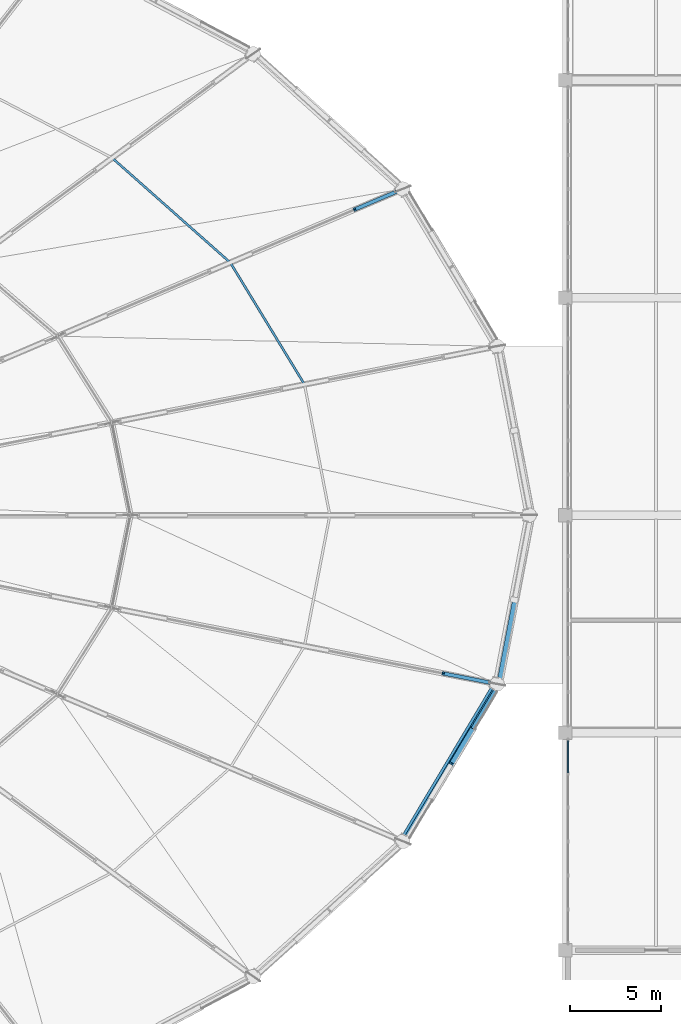
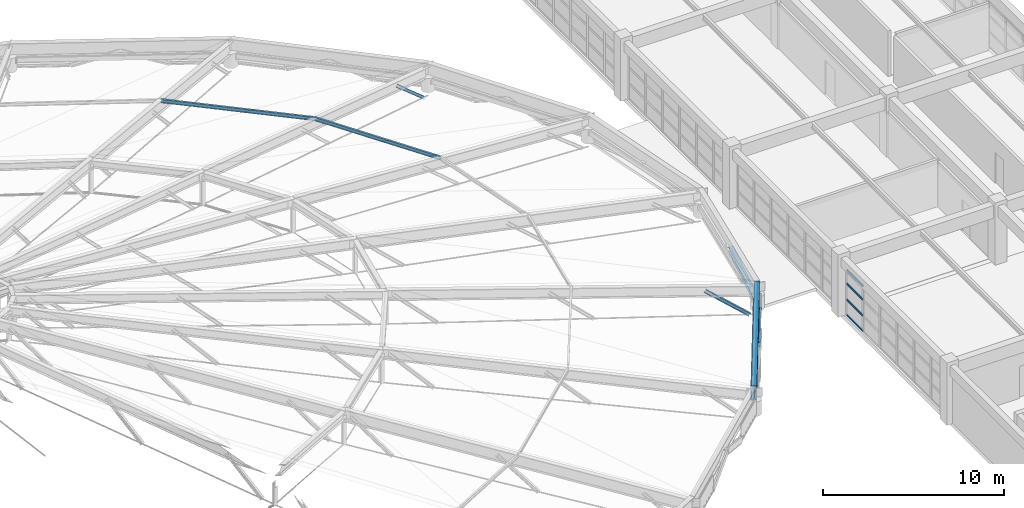
# One storey, part 27 of 83: 8 members, 5 beams, 1 element without a shape of its own.
"""IFC4 building model written with IfcOpenShell, lengths in metres."""

import ifcopenshell
import ifcopenshell.guid

model = None  # the IFC model being written
_history = None  # IfcOwnerHistory: only IFC2X3 demands one
_inside = {}  # id of a spatial element -> (the spatial element, [elements in it])
_under = {}  # id of a project, library or spatial element -> (it, [spatial elements below it])
_declared = {}  # id of a project -> (the project, [libraries it declares])
_typed = {}  # id of a type object -> (the type object, [elements of that type])
_made_of = {}  # id of a material, layer set ... -> (it, [elements and type objects made of it])


def new_model(schema):
    """Start an empty IFC model of exactly this schema.

    Asked for "IFC4X3", IfcOpenShell would pick the latest addendum, in which some entities
    have other attributes; the version numbers below select the first issue.
    IFC2X3 requires an IfcOwnerHistory on every rooted entity: one is made here for all.
    """
    global model, _history
    if schema == "IFC4X3":
        model = ifcopenshell.file(schema_version=(4, 3, 0, 0))
    else:
        model = ifcopenshell.file(schema=schema)
    _inside.clear()
    _under.clear()
    _declared.clear()
    _typed.clear()
    _made_of.clear()
    _history = None
    if model.schema == "IFC2X3":
        org = make("IfcOrganization", Name="unknown")
        user = make(
            "IfcPersonAndOrganization",
            ThePerson=make("IfcPerson", FamilyName="unknown"),
            TheOrganization=org,
        )
        app = make(
            "IfcApplication",
            ApplicationDeveloper=org,
            Version="unknown",
            ApplicationFullName="unknown",
            ApplicationIdentifier="unknown",
        )
        _history = make(
            "IfcOwnerHistory",
            OwningUser=user,
            OwningApplication=app,
            ChangeAction="ADDED",
            CreationDate=0,
        )
    return model


def make(cls, **values):
    """One entity of the class cls with the attributes given. An attribute that is None is left unset."""
    return model.create_entity(
        cls, **{name: value for name, value in values.items() if value is not None}
    )


def rooted(cls, **values):
    """An entity with a GlobalId (a new one), such as an element, a storey or a relation."""
    return make(cls, GlobalId=ifcopenshell.guid.new(), OwnerHistory=_history, **values)


def si_unit(unit_type, name, prefix=None):
    """IfcSIUnit, for example si_unit("LENGTHUNIT", "METRE", prefix="MILLI")."""
    return make("IfcSIUnit", UnitType=unit_type, Prefix=prefix, Name=name)


def assignment(units):
    """IfcUnitAssignment: the units of a project."""
    return None if units is None else make("IfcUnitAssignment", Units=units)


def point(xyz):
    """IfcCartesianPoint."""
    return None if xyz is None else make("IfcCartesianPoint", Coordinates=xyz)


def direction(xyz):
    """IfcDirection."""
    return None if xyz is None else make("IfcDirection", DirectionRatios=xyz)


def frame(location, z_axis=None, x_axis=None):
    """IfcAxis2Placement3D, a coordinate frame: its origin and axes. An axis left out is left unset."""
    return make(
        "IfcAxis2Placement3D",
        Location=point(location),
        Axis=direction(z_axis),
        RefDirection=direction(x_axis),
    )


def frame_2d(location, x_axis=None):
    """IfcAxis2Placement2D, a coordinate frame in the plane: its origin and x axis."""
    return make(
        "IfcAxis2Placement2D", Location=point(location), RefDirection=direction(x_axis)
    )


def origin():
    """The frame at (0, 0, 0) with its axes left unset."""
    return frame((0.0, 0.0, 0.0))


def origin_2d():
    """The frame at (0, 0) in the plane with its x axis left unset."""
    return frame_2d((0.0, 0.0))


def place(relative_to, where):
    """IfcLocalPlacement: puts the frame where relative to a parent placement (None: the world)."""
    return make(
        "IfcLocalPlacement", PlacementRelTo=relative_to, RelativePlacement=where
    )


def context(
    kind, dimensions, precision=None, world=None, true_north=None, identifier=None
):
    """IfcGeometricRepresentationContext, for example the 3D "Model" context."""
    return make(
        "IfcGeometricRepresentationContext",
        ContextIdentifier=identifier,
        ContextType=kind,
        CoordinateSpaceDimension=dimensions,
        Precision=precision,
        WorldCoordinateSystem=world,
        TrueNorth=true_north,
    )


def subcontext(parent, identifier, kind, view, scale=None):
    """IfcGeometricRepresentationSubContext, for example "Body" below "Model"."""
    return make(
        "IfcGeometricRepresentationSubContext",
        ContextIdentifier=identifier,
        ContextType=kind,
        ParentContext=parent,
        TargetScale=scale,
        TargetView=view,
    )


def project(units=None, contexts=None):
    """IfcProject with its units and contexts."""
    return rooted(
        "IfcProject",
        Name="project",
        RepresentationContexts=contexts,
        UnitsInContext=assignment(units),
    )


def spatial(cls, under=None, at=None, **own):
    """A site, building, storey or space (cls), placed at a placement, below another one or the project."""
    s = rooted(cls, ObjectPlacement=at, **own)
    if under is not None:
        _under.setdefault(under.id(), (under, []))[1].append(s)
    return s


def profile(cls, at=None, kind="AREA", **sizes):
    """A parametric profile (cls). Its sizes go by their IFC names, for example OverallWidth=200.0."""
    return make(cls, ProfileType=kind, Position=at, **sizes)


def rectangle(**sizes):
    """IfcRectangleProfileDef."""
    return profile("IfcRectangleProfileDef", **sizes)


def hollow_rectangle(**sizes):
    """IfcRectangleHollowProfileDef."""
    return profile("IfcRectangleHollowProfileDef", **sizes)


def i_section(**sizes):
    """IfcIShapeProfileDef."""
    return profile("IfcIShapeProfileDef", **sizes)


def extrude(swept, where, along, depth):
    """IfcExtrudedAreaSolid: the profile swept, set in the frame where, extruded along a direction by depth."""
    return make(
        "IfcExtrudedAreaSolid",
        SweptArea=swept,
        Position=where,
        ExtrudedDirection=direction(along),
        Depth=depth,
    )


def shape(context_of_items, identifier, shape_type, items):
    """IfcShapeRepresentation: the items that make up one representation, for example the "Body"."""
    return make(
        "IfcShapeRepresentation",
        ContextOfItems=context_of_items,
        RepresentationIdentifier=identifier,
        RepresentationType=shape_type,
        Items=items,
    )


def material(Name=None, Category=None):
    """IfcMaterial."""
    return make("IfcMaterial", Name=Name, Category=Category)


def layer(
    of_material, thickness, ventilated=None, Name=None, Category=None, Priority=None
):
    """IfcMaterialLayer: one layer of a wall or slab, of a material (None: an air gap)."""
    return make(
        "IfcMaterialLayer",
        Material=of_material,
        LayerThickness=thickness,
        IsVentilated=ventilated,
        Name=Name,
        Category=Category,
        Priority=Priority,
    )


def layer_set(layers, Name=None):
    """IfcMaterialLayerSet."""
    return make("IfcMaterialLayerSet", MaterialLayers=layers, LayerSetName=Name)


def material_profile(
    of_material, cross_section, Name=None, Category=None, Priority=None
):
    """IfcMaterialProfile: a cross section and its material."""
    return make(
        "IfcMaterialProfile",
        Name=Name,
        Material=of_material,
        Profile=cross_section,
        Priority=Priority,
        Category=Category,
    )


def profile_set(profiles, Name=None, composite=None):
    """IfcMaterialProfileSet."""
    return make(
        "IfcMaterialProfileSet",
        Name=Name,
        MaterialProfiles=profiles,
        CompositeProfile=composite,
    )


def made_of(thing, what):
    """Note that an element or type object is made of a material, layer set ...; save() writes the relation."""
    if what is not None:
        _made_of.setdefault(what.id(), (what, []))[1].append(thing)
    return thing


def type_object(cls, material=None, **own):
    """A type object (cls), such as IfcWallType, which elements share."""
    return made_of(rooted(cls, **own), material)


def element(
    cls,
    number,
    at=None,
    inside=None,
    cuts=None,
    type_object=None,
    material=None,
    context=None,
    identifier="Body",
    shape_type=None,
    held_by="IfcProductDefinitionShape",
    body=None,
    shapes=None,
    **own,
):
    """One element of the class cls, such as IfcWall. Its Tag is "e" and its number.

    at: its placement. inside: the storey or other place that contains it. cuts: it is an
    opening in that element (IfcRelVoidsElement). A single representation is given by context,
    identifier, shape_type and body (its items); several are given by shapes. held_by: the class
    of the entity that holds the representations. save() writes the other relations.
    """
    e = rooted(cls, Tag="e%d" % number, ObjectPlacement=at, **own)
    if body is not None:
        shapes = [shape(context, identifier, shape_type, body)]
    if shapes is not None:
        e.Representation = make(held_by, Representations=shapes)
    if inside is not None:
        _inside.setdefault(inside.id(), (inside, []))[1].append(e)
    if cuts is not None:
        rooted(
            "IfcRelVoidsElement", RelatingBuildingElement=cuts, RelatedOpeningElement=e
        )
    if type_object is not None:
        _typed.setdefault(type_object.id(), (type_object, []))[1].append(e)
    return made_of(e, material)


def aggregate(whole, parts):
    """IfcRelAggregates: a whole, such as a stair, and the parts it consists of."""
    return rooted("IfcRelAggregates", RelatingObject=whole, RelatedObjects=parts)


def save(model, path):
    """Write the relations noted so far, then the file.

    IfcRelAggregates (storeys below a building ...), IfcRelContainedInSpatialStructure (elements
    in a storey), IfcRelDefinesByType, IfcRelAssociatesMaterial and IfcRelDeclares: one each for
    every whole, place, type object, material and project.
    """
    for whole, parts in _under.values():
        aggregate(whole, parts)
    for where, things in _inside.values():
        rooted(
            "IfcRelContainedInSpatialStructure",
            RelatedElements=things,
            RelatingStructure=where,
        )
    for kind, things in _typed.values():
        rooted("IfcRelDefinesByType", RelatedObjects=things, RelatingType=kind)
    for what, things in _made_of.values():
        rooted("IfcRelAssociatesMaterial", RelatedObjects=things, RelatingMaterial=what)
    for by, libraries in _declared.values():
        rooted("IfcRelDeclares", RelatingContext=by, RelatedDefinitions=libraries)
    model.write(path)


model = new_model("IFC4")

# Units and contexts
model_context = context("Model", 3, precision=1e-05, world=origin(), true_north=direction((0.0, 1.0)))
body_context = subcontext(model_context, "Body", "Model", "MODEL_VIEW")
ifc_project = project(units=[si_unit("LENGTHUNIT", "METRE"), si_unit("AREAUNIT", "SQUARE_METRE"), si_unit("VOLUMEUNIT", "CUBIC_METRE"), si_unit("PLANEANGLEUNIT", "RADIAN"), si_unit("MASSUNIT", "GRAM", prefix="KILO")], contexts=[model_context])

# Site, building, storey
site_placement = place(None, origin())
site = spatial("IfcSite", under=ifc_project, at=site_placement, CompositionType="ELEMENT")
building_placement = place(site_placement, origin())
building = spatial("IfcBuilding", under=site, at=building_placement, Name="Kivolera Central Railway Station", CompositionType="ELEMENT")
storey_placement = place(building_placement, frame((0.0, 0.0, 14.39990234375)))
storey = spatial("IfcBuildingStorey", under=building, at=storey_placement, Name="L03", CompositionType="ELEMENT", Elevation=14.39990234375)

# Beams
ifc_material_1 = material(Name="Steel S355", Category="steel")
ifc_material_profile_1 = material_profile(ifc_material_1, hollow_rectangle(XDim=0.14990234375, YDim=0.300048828125, WallThickness=0.012451171875, at=origin_2d()), Name="RHS 300x150x12.5")
ifc_profile_set_1 = profile_set([ifc_material_profile_1], Name="Steel S355")
beam_type_1 = type_object("IfcBeamType", Name="BM-ARCH-HOOD", PredefinedType="SPANDREL", material=ifc_profile_set_1)
beam_1_placement = place(storey_placement, frame((109.091064453125, 72.37890625, 0.735107421875), z_axis=(0.513358106198, 0.858174489717, 0.0), x_axis=(-0.858174489717, 0.513358106198, 0.0)))
element("IfcBeam", 1, at=beam_1_placement, inside=storey, type_object=beam_type_1, Name="Lantern Spandrel Hood Beam 23", PredefinedType="SPANDREL", context=body_context, shape_type="SweptSolid", body=[
    extrude(hollow_rectangle(XDim=0.14990234375, YDim=0.300048828125, WallThickness=0.012451171875, at=origin_2d()), origin(), (0.0, 0.0, 1.0), 9.408203125),
])
ifc_material_profile_2 = material_profile(ifc_material_1, i_section(OverallWidth=0.300048828125, OverallDepth=0.300048828125, WebThickness=0.010986328125, FlangeThickness=0.01904296875, FilletRadius=0.027099609375, at=origin_2d()), Name="HEB 300")
ifc_profile_set_2 = profile_set([ifc_material_profile_2], Name="Steel S355")
beam_type_2 = type_object("IfcBeamType", Name="BM-LANT-ARCH", PredefinedType="SPANDREL", material=ifc_profile_set_2)
beam_2_placement = place(storey_placement, frame((111.73291015625, 76.280029296875, 1.06005859375), z_axis=(0.477160519348, 0.797074958456, -0.370120722709), x_axis=(-0.858007506616, 0.513637146818, 0.0)))
element("IfcBeam", 2, at=beam_2_placement, inside=storey, type_object=beam_type_2, Name="Oval Lantern Structural Arch Rib 23.4", PredefinedType="SPANDREL", context=body_context, shape_type="SweptSolid", body=[
    extrude(i_section(OverallWidth=0.300048828125, OverallDepth=0.300048828125, WebThickness=0.010986328125, FlangeThickness=0.01904296875, FilletRadius=0.027099609375, at=origin_2d()), origin(), (0.0, 0.0, 1.0), 2.431396484375),
])
beam_3_placement = place(storey_placement, frame((114.412109375, 81.009033203125, 0.1201171875), z_axis=(0.184527899204, 0.970117788131, 0.157546601256), x_axis=(-0.982386266393, 0.186861509151, 0.0)))
element("IfcBeam", 3, at=beam_3_placement, inside=storey, type_object=beam_type_2, Name="Oval Lantern Structural Arch Rib 24.1", PredefinedType="SPANDREL", context=body_context, shape_type="SweptSolid", body=[
    extrude(i_section(OverallWidth=0.300048828125, OverallDepth=0.300048828125, WebThickness=0.010986328125, FlangeThickness=0.01904296875, FilletRadius=0.027099609375, at=origin_2d()), origin(), (0.0, 0.0, 1.0), 4.44287109375),
])
ifc_material_profile_3 = material_profile(ifc_material_1, i_section(OverallWidth=0.239990234375, OverallDepth=0.22998046875, WebThickness=0.007568359375, FlangeThickness=0.011962890625, FilletRadius=0.02099609375, at=origin_2d()), Name="HEA 240")
ifc_profile_set_3 = profile_set([ifc_material_profile_3], Name="Steel S355")
beam_type_3 = type_object("IfcBeamType", Name="BM-LANT-HTIE", PredefinedType="SPANDREL", material=ifc_profile_set_3)
beam_4_placement = place(storey_placement, frame((112.89306640625, 78.218017578125, 0.16015625), z_axis=(0.51345317961, 0.858117609858, 0.0), x_axis=(-0.858117609858, 0.51345317961, 0.0)))
element("IfcBeam", 4, at=beam_4_placement, inside=storey, type_object=beam_type_3, Name="Lantern Arch Spandrel Haunch Tie 23R", PredefinedType="SPANDREL", context=body_context, shape_type="SweptSolid", body=[
    extrude(i_section(OverallWidth=0.239990234375, OverallDepth=0.22998046875, WebThickness=0.007568359375, FlangeThickness=0.011962890625, FilletRadius=0.02099609375, at=origin_2d()), origin(), (0.0, 0.0, 1.0), 2.44580078125),
])
ifc_material_profile_4 = material_profile(ifc_material_1, i_section(OverallWidth=0.300048828125, OverallDepth=0.89990234375, WebThickness=0.0185546875, FlangeThickness=0.034912109375, FilletRadius=0.030029296875, at=origin_2d()), Name="HEB 900")
ifc_profile_set_4 = profile_set([ifc_material_profile_4], Name="Steel S355")
beam_type_4 = type_object("IfcBeamType", Name="BM-ORB-HEB900", PredefinedType="BEAM", material=ifc_profile_set_4)
beam_5_placement = place(storey_placement, frame((109.032958984375, 72.0, 1.35009765625), z_axis=(0.513420234648, 0.85813732156, 0.0), x_axis=(-0.85813732156, 0.513420234648, 0.0)))
element("IfcBeam", 5, at=beam_5_placement, inside=storey, type_object=beam_type_4, Name="Oval Dome Compression Ring Beam ORB-23", PredefinedType="BEAM", context=body_context, shape_type="SweptSolid", body=[
    extrude(i_section(OverallWidth=0.300048828125, OverallDepth=0.89990234375, WebThickness=0.0185546875, FlangeThickness=0.034912109375, FilletRadius=0.030029296875, at=origin_2d()), origin(), (0.0, 0.0, 1.0), 10.11865234375),
])

# Curtain wall, members
ifc_material_2 = material(Name="Anodised aluminium", Category="aluminium")
ifc_layer = layer(ifc_material_2, 0.179931640625, Name="Anodised aluminium")
ifc_layer_set = layer_set([ifc_layer], Name="Anodised aluminium")
curtain_wall_type = type_object("IfcCurtainWallType", Name="CW-SYS-30", PredefinedType="NOTDEFINED", material=ifc_layer_set)
curtain_wall_placement = place(storey_placement, origin())
curtain_wall = element("IfcCurtainWall", 6, at=curtain_wall_placement, inside=storey, type_object=curtain_wall_type, Name="L03 Curtain Wall CW-L03-WEST-F", PredefinedType="NOTDEFINED")
ifc_material_profile_5 = material_profile(ifc_material_2, rectangle(XDim=0.070068359375, YDim=0.139892578125, at=origin_2d()), Name="ALU TRAN 70x140")
ifc_profile_set_5 = profile_set([ifc_material_profile_5], Name="Anodised aluminium")
member_type_1 = type_object("IfcMemberType", Name="CWM-TRN-1", PredefinedType="USERDEFINED", material=ifc_profile_set_5)
member_1_placement = place(storey_placement, frame((118.14501953125, 75.788330078125, 0.03515625), z_axis=(0.0, 1.0, 0.0), x_axis=(-1.0, 0.0, 0.0)))
member_1 = element("IfcMember", 7, at=member_1_placement, type_object=member_type_1, Name="CW-30 transom 6.1", ObjectType="TRANSOM", PredefinedType="USERDEFINED", context=body_context, shape_type="SweptSolid", body=[
    extrude(rectangle(XDim=0.070068359375, YDim=0.139892578125, at=origin_2d()), origin(), (0.0, 0.0, 1.0), 1.771728515625),
])
member_2_placement = place(storey_placement, frame((118.14501953125, 75.788330078125, 1.077392578125), z_axis=(0.0, 1.0, 0.0), x_axis=(-1.0, 0.0, 0.0)))
member_2 = element("IfcMember", 8, at=member_2_placement, type_object=member_type_1, Name="CW-30 transom 6.2", ObjectType="TRANSOM", PredefinedType="USERDEFINED", context=body_context, shape_type="SweptSolid", body=[
    extrude(rectangle(XDim=0.070068359375, YDim=0.139892578125, at=origin_2d()), origin(), (0.0, 0.0, 1.0), 1.771728515625),
])
member_3_placement = place(storey_placement, frame((118.14501953125, 75.788330078125, 2.15478515625), z_axis=(0.0, 1.0, 0.0), x_axis=(-1.0, 0.0, 0.0)))
member_3 = element("IfcMember", 9, at=member_3_placement, type_object=member_type_1, Name="CW-30 transom 6.3", ObjectType="TRANSOM", PredefinedType="USERDEFINED", context=body_context, shape_type="SweptSolid", body=[
    extrude(rectangle(XDim=0.070068359375, YDim=0.139892578125, at=origin_2d()), origin(), (0.0, 0.0, 1.0), 1.771728515625),
])
member_4_placement = place(storey_placement, frame((118.14501953125, 75.788330078125, 3.043212890625), z_axis=(0.0, 1.0, 0.0), x_axis=(-1.0, 0.0, 0.0)))
member_4 = element("IfcMember", 10, at=member_4_placement, type_object=member_type_1, Name="CW-30 transom 6.4", ObjectType="TRANSOM", PredefinedType="USERDEFINED", context=body_context, shape_type="SweptSolid", body=[
    extrude(rectangle(XDim=0.070068359375, YDim=0.139892578125, at=origin_2d()), origin(), (0.0, 0.0, 1.0), 1.771728515625),
])
aggregate(curtain_wall, [member_1, member_2, member_3, member_4])

# Members
ifc_material_profile_6 = material_profile(ifc_material_1, i_section(OverallWidth=0.1201171875, OverallDepth=0.239990234375, WebThickness=0.006103515625, FlangeThickness=0.009765625, FilletRadius=0.014892578125, at=origin_2d()), Name="IPE 240")
ifc_profile_set_6 = profile_set([ifc_material_profile_6], Name="Steel S355")
member_type_2 = type_object("IfcMemberType", Name="MEM-PUR-IPE240", PredefinedType="PURLIN", material=ifc_profile_set_6)
member_5_placement = place(storey_placement, frame((103.60302734375, 97.214111328125, 3.775146484375), z_axis=(-0.520239086032, 0.854020663313, 0.0), x_axis=(-0.854020663313, -0.520239086032, 0.0)))
element("IfcMember", 11, at=member_5_placement, inside=storey, type_object=member_type_2, Name="Dome Outer Hoop Purlin DPUR1-02", PredefinedType="PURLIN", context=body_context, shape_type="SweptSolid", body=[
    extrude(i_section(OverallWidth=0.1201171875, OverallDepth=0.239990234375, WebThickness=0.006103515625, FlangeThickness=0.009765625, FilletRadius=0.014892578125, at=origin_2d()), origin(), (0.0, 0.0, 1.0), 7.873291015625),
])
member_6_placement = place(storey_placement, frame((99.507080078125, 103.93798828125, 3.775146484375), z_axis=(-0.748507030998, 0.663126854038, 0.0), x_axis=(-0.663126854038, -0.748507030998, 0.0)))
element("IfcMember", 12, at=member_6_placement, inside=storey, type_object=member_type_2, Name="Dome Outer Hoop Purlin DPUR1-03", PredefinedType="PURLIN", context=body_context, shape_type="SweptSolid", body=[
    extrude(i_section(OverallWidth=0.1201171875, OverallDepth=0.239990234375, WebThickness=0.006103515625, FlangeThickness=0.009765625, FilletRadius=0.014892578125, at=origin_2d()), origin(), (0.0, 0.0, 1.0), 8.7041015625),
])
ifc_material_profile_7 = material_profile(ifc_material_1, i_section(OverallWidth=0.199951171875, OverallDepth=0.199951171875, WebThickness=0.009033203125, FlangeThickness=0.014892578125, FilletRadius=0.01806640625, at=origin_2d()), Name="HEB 200")
ifc_profile_set_7 = profile_set([ifc_material_profile_7], Name="Steel S355")
member_type_3 = type_object("IfcMemberType", Name="MEM-RAF-HEB200", PredefinedType="RAFTER", material=ifc_profile_set_7)
member_7_placement = place(storey_placement, frame((108.652099609375, 107.837890625, -0.364990234375), z_axis=(-0.69019647552, -0.294608640821, 0.660934621528), x_axis=(0.392579383013, -0.919718124228, 0.0)))
element("IfcMember", 13, at=member_7_placement, inside=storey, type_object=member_type_3, Name="Dome Radial Truss Raking Web DWEB1-03.1", PredefinedType="RAFTER", context=body_context, shape_type="SweptSolid", body=[
    extrude(i_section(OverallWidth=0.199951171875, OverallDepth=0.199951171875, WebThickness=0.009033203125, FlangeThickness=0.014892578125, FilletRadius=0.01806640625, at=origin_2d()), origin(), (0.0, 0.0, 1.0), 3.312255859375),
])
member_8_placement = place(storey_placement, frame((113.802978515625, 80.76708984375, -0.364990234375), z_axis=(-0.75032949901, 0.148557338818, 0.644155540222), x_axis=(-0.194219376983, -0.980958120209, 0.0)))
element("IfcMember", 14, at=member_8_placement, inside=storey, type_object=member_type_3, Name="Dome Radial Truss Raking Web DWEB1-24.1", PredefinedType="RAFTER", context=body_context, shape_type="SweptSolid", body=[
    extrude(i_section(OverallWidth=0.199951171875, OverallDepth=0.199951171875, WebThickness=0.009033203125, FlangeThickness=0.014892578125, FilletRadius=0.01806640625, at=origin_2d()), origin(), (0.0, 0.0, 1.0), 3.398681640625),
])

save(model, "model.ifc")
